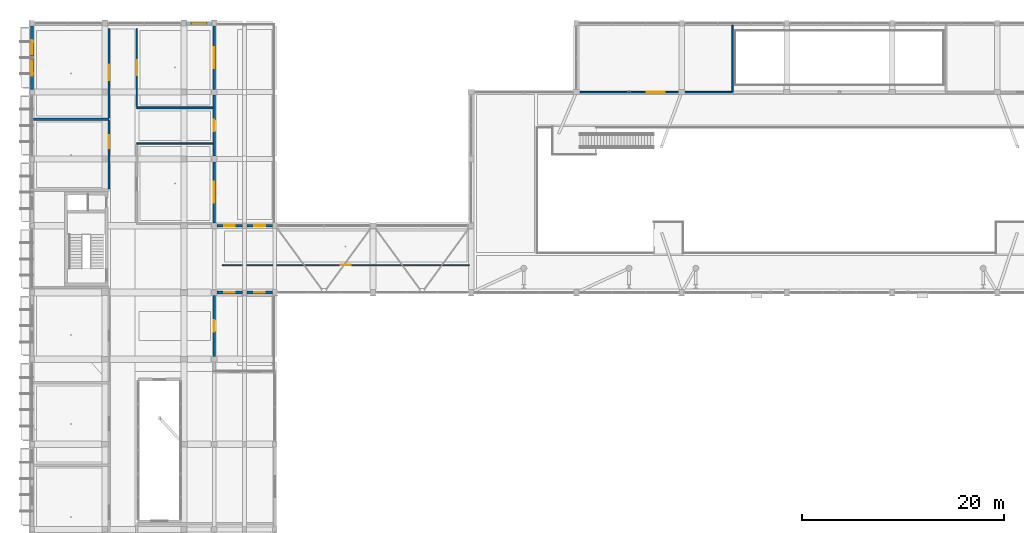
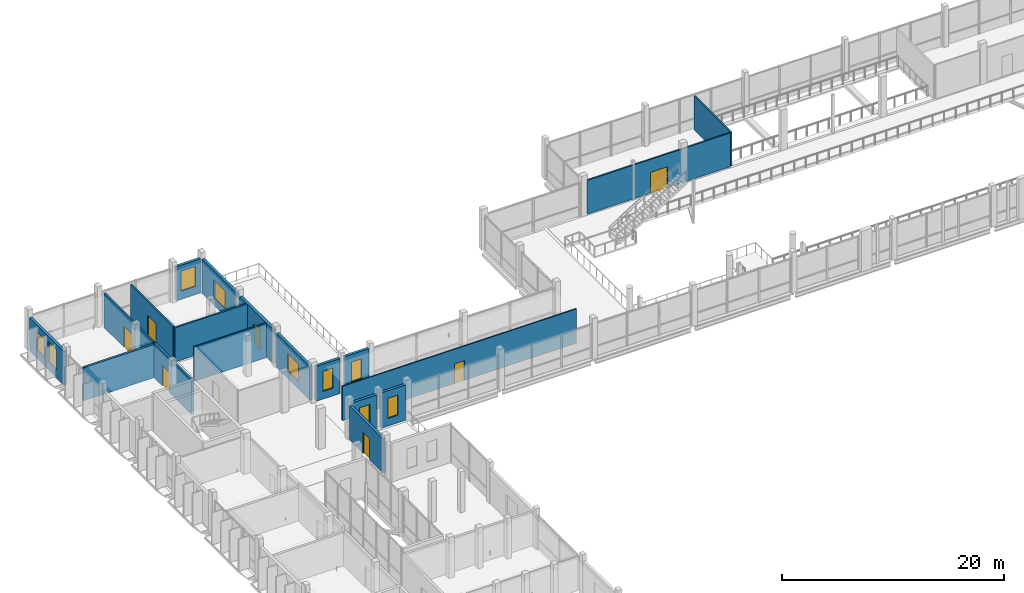
# One storey, part 59 of 95: 19 walls, 9 windows, 7 doors, 16 openings.
"""IFC4 building model written with IfcOpenShell, lengths in metres."""

from ifc_helpers import new_model, si_unit, derived_unit, direction, frame, frame_2d, origin, origin_with_axes, place, context, subcontext, project, spatial, rectangle, extrude, material, layer, layer_set, type_object, element, fill, save


model = new_model("IFC4")

# Units and contexts
model_context = context("Model", 3, precision=1e-05, world=origin(), true_north=direction((0.0, 1.0)))
body_context = subcontext(model_context, "Body", "Model", "MODEL_VIEW")
ifc_project = project(units=[si_unit("LENGTHUNIT", "METRE"), si_unit("AREAUNIT", "SQUARE_METRE"), si_unit("VOLUMEUNIT", "CUBIC_METRE"), si_unit("PLANEANGLEUNIT", "RADIAN"), si_unit("MASSUNIT", "GRAM", prefix="KILO"), derived_unit("THERMALTRANSMITTANCEUNIT", [(si_unit("POWERUNIT", "WATT"), 1), (si_unit("LENGTHUNIT", "METRE"), -2), (si_unit("THERMODYNAMICTEMPERATUREUNIT", "KELVIN"), -1)])], contexts=[model_context])

# Site, building, storey
site_placement = place(None, origin())
site = spatial("IfcSite", under=ifc_project, at=site_placement, CompositionType="ELEMENT")
building_placement = place(site_placement, origin())
building = spatial("IfcBuilding", under=site, at=building_placement, Name="Braskholm Square Health Centre", CompositionType="ELEMENT")
storey_placement = place(building_placement, frame((0.0, 0.0, 4.800048828125)))
storey = spatial("IfcBuildingStorey", under=building, at=storey_placement, Name="L02", CompositionType="ELEMENT", Elevation=4.800048828125)

# Wall, opening, door
ifc_material_1 = material(Name="Fire-rated gypsum board barrier")
ifc_layer_1 = layer(ifc_material_1, 0.175048828125)
ifc_layer_set_1 = layer_set([ifc_layer_1], Name="Fire-rated gypsum board barrier")
wall_type_1 = type_object("IfcWallType", Name="AmbulatoryFirePartition175", PredefinedType="PARTITIONING", material=ifc_layer_set_1)
wall_1_placement = place(storey_placement, frame((11.800048828125, 104.449951171875, 0.0), z_axis=(0.0, 0.0, 1.0), x_axis=(0.0, 1.0, 0.0)))
wall_1 = element("IfcWall", 1, at=wall_1_placement, inside=storey, type_object=wall_type_1, Name="Interior partition PWALL-L02-0092", PredefinedType="PARTITIONING", context=body_context, shape_type="SweptSolid", body=[
    extrude(rectangle(XDim=8.830078125, YDim=0.175048828125, at=frame_2d((4.4150390625, 0.0))), origin(), (0.0, 0.0, 1.0), 3.794921875),
])
opening_1_placement = place(wall_1_placement, frame((3.719970703125, 0.0, 0.0)))
opening_1 = element("IfcOpeningElement", 2, at=opening_1_placement, cuts=wall_1, Name="Opening D-15", PredefinedType="OPENING", context=body_context, shape_type="SweptSolid", body=[
    extrude(rectangle(XDim=1.5400390625, YDim=2.35009765625, at=frame_2d((0.77001953125, 1.175048828125))), frame((0.0, 0.09765625, 0.0), z_axis=(0.0, -1.0, 0.0), x_axis=(1.0, 0.0, 0.0)), (0.0, 0.0, 1.0), 0.195068359375),
])
ifc_material_2 = material(Name="Architectural bronze anodised aluminium", Category="aluminium")
door_type_1 = type_object("IfcDoorType", Name="DoorOperatingRoomPair1540x2350", OperationType="DOUBLE_DOOR_SINGLE_SWING", PredefinedType="DOOR", material=ifc_material_2)
door_1_placement = place(opening_1_placement, origin_with_axes())
door_1 = element("IfcDoor", 3, at=door_1_placement, inside=storey, type_object=door_type_1, Name="Interior door 0041 L02", OperationType="DOUBLE_DOOR_SINGLE_SWING", OverallHeight=2.35009765625, OverallWidth=1.5400390625, PredefinedType="DOOR", context=body_context, shape_type="SweptSolid", body=[
    extrude(rectangle(XDim=1.5400390625, YDim=2.35009765625, at=frame_2d((0.77001953125, 1.175048828125))), frame((0.0, 0.02490234375, 0.0), z_axis=(0.0, -1.0, 0.0), x_axis=(1.0, 0.0, 0.0)), (0.0, 0.0, 1.0), 0.050048828125),
])
fill(opening_1, door_1)

wall_2_placement = place(storey_placement, frame((14.550048828125, 105.570068359375, 0.0), z_axis=(0.0, 0.0, 1.0), x_axis=(0.0, 1.0, 0.0)))
wall_2 = element("IfcWall", 4, at=wall_2_placement, inside=storey, type_object=wall_type_1, Name="Interior partition PWALL-L02-0108", PredefinedType="PARTITIONING", context=body_context, shape_type="SweptSolid", body=[
    extrude(rectangle(XDim=7.7099609375, YDim=0.175048828125, at=frame_2d((3.85498046875, 0.0))), origin(), (0.0, 0.0, 1.0), 3.794921875),
])
opening_2_placement = place(wall_2_placement, frame((3.114990234375, 0.0, 0.0)))
opening_2 = element("IfcOpeningElement", 5, at=opening_2_placement, cuts=wall_2, Name="Opening D-27", PredefinedType="OPENING", context=body_context, shape_type="SweptSolid", body=[
    extrude(rectangle(XDim=1.47998046875, YDim=2.280029296875, at=frame_2d((0.739990234375, 1.14013671875))), frame((0.0, 0.09765625, 0.0), z_axis=(0.0, -1.0, 0.0), x_axis=(1.0, 0.0, 0.0)), (0.0, 0.0, 1.0), 0.195068359375),
])
door_type_2 = type_object("IfcDoorType", Name="DoorProcedurePair1480x2280", OperationType="DOUBLE_DOOR_SINGLE_SWING", PredefinedType="DOOR", material=ifc_material_2)
door_2_placement = place(opening_2_placement, frame((1.47998046875, 0.0, 0.0), z_axis=(0.0, 0.0, 1.0), x_axis=(-1.0, 0.0, 0.0)))
door_2 = element("IfcDoor", 6, at=door_2_placement, inside=storey, type_object=door_type_2, Name="Interior door 0049 L02", OperationType="DOUBLE_DOOR_SINGLE_SWING", OverallHeight=2.280029296875, OverallWidth=1.47998046875, PredefinedType="DOOR", context=body_context, shape_type="SweptSolid", body=[
    extrude(rectangle(XDim=1.47998046875, YDim=2.280029296875, at=frame_2d((0.739990234375, 1.14013671875))), frame((0.0, 0.02490234375, 0.0), z_axis=(0.0, -1.0, 0.0), x_axis=(1.0, 0.0, 0.0)), (0.0, 0.0, 1.0), 0.050048828125),
])
fill(opening_2, door_2)

# Wall
wall_3_placement = place(storey_placement, frame((14.550048828125, 105.449951171875, 0.0), z_axis=(0.0, 0.0, 1.0), x_axis=(1.0, 0.0, 0.0)))
element("IfcWall", 7, at=wall_3_placement, inside=storey, type_object=wall_type_1, Name="Interior partition PWALL-L02-0109", PredefinedType="PARTITIONING", context=body_context, shape_type="SweptSolid", body=[
    extrude(rectangle(XDim=7.510009765625, YDim=0.175048828125, at=frame_2d((3.7548828125, 0.0))), origin(), (0.0, 0.0, 1.0), 3.784912109375),
])

# Wall, opening, door
ifc_material_3 = material(Name="Acoustic gypsum board partition")
ifc_layer_2 = layer(ifc_material_3, 0.125)
ifc_layer_set_2 = layer_set([ifc_layer_2], Name="Acoustic gypsum board partition")
wall_type_2 = type_object("IfcWallType", Name="ClinicalExamPartition125", PredefinedType="PARTITIONING", material=ifc_layer_set_2)
wall_4_placement = place(storey_placement, frame((23.0, 89.89990234375, 0.0), z_axis=(0.0, 0.0, 1.0), x_axis=(1.0, 0.0, 0.0)))
wall_4 = element("IfcWall", 8, at=wall_4_placement, inside=storey, type_object=wall_type_2, Name="Interior partition PWALL-L02-0093", PredefinedType="PARTITIONING", context=body_context, shape_type="SweptSolid", body=[
    extrude(rectangle(XDim=24.39990234375, YDim=0.125, at=frame_2d((12.199951171875, 0.0))), origin(), (0.0, 0.0, 1.0), 3.784912109375),
])
opening_3_placement = place(wall_4_placement, frame((11.68994140625, 0.0, 0.0)))
opening_3 = element("IfcOpeningElement", 9, at=opening_3_placement, cuts=wall_4, Name="Opening D-25", PredefinedType="OPENING", context=body_context, shape_type="SweptSolid", body=[
    extrude(rectangle(XDim=1.02001953125, YDim=2.179931640625, at=frame_2d((0.510009765625, 1.08984375))), frame((0.0, 0.072509765625, 0.0), z_axis=(0.0, -1.0, 0.0), x_axis=(1.0, 0.0, 0.0)), (0.0, 0.0, 1.0), 0.14501953125),
])
door_type_3 = type_object("IfcDoorType", Name="DoorConsultWide1020x2180", OperationType="NOTDEFINED", PredefinedType="DOOR", material=ifc_material_2)
door_3_placement = place(opening_3_placement, origin_with_axes())
door_3 = element("IfcDoor", 10, at=door_3_placement, inside=storey, type_object=door_type_3, Name="Interior door 0042 L02", OperationType="SINGLE_SWING_LEFT", OverallHeight=2.179931640625, OverallWidth=1.02001953125, PredefinedType="DOOR", context=body_context, shape_type="SweptSolid", body=[
    extrude(rectangle(XDim=1.02001953125, YDim=2.179931640625, at=frame_2d((0.510009765625, 1.08984375))), frame((0.0, 0.02490234375, 0.0), z_axis=(0.0, -1.0, 0.0), x_axis=(1.0, 0.0, 0.0)), (0.0, 0.0, 1.0), 0.050048828125),
])
fill(opening_3, door_3)

# Walls
ifc_layer_3 = layer(ifc_material_3, 0.14990234375)
ifc_layer_set_3 = layer_set([ifc_layer_3], Name="Acoustic gypsum board partition")
wall_type_3 = type_object("IfcWallType", Name="CorridorAcousticPartition150", PredefinedType="PARTITIONING", material=ifc_layer_set_3)
wall_5_placement = place(storey_placement, frame((14.550048828125, 101.949951171875, 0.0), z_axis=(0.0, 0.0, 1.0), x_axis=(1.0, 0.0, 0.0)))
element("IfcWall", 11, at=wall_5_placement, inside=storey, type_object=wall_type_3, Name="Interior partition PWALL-L02-0107", PredefinedType="PARTITIONING", context=body_context, shape_type="SweptSolid", body=[
    extrude(rectangle(XDim=7.510009765625, YDim=0.14990234375, at=frame_2d((3.7548828125, 0.0))), origin(), (0.0, 0.0, 1.0), 3.784912109375),
])
wall_6_placement = place(storey_placement, frame((73.449951171875, 107.0, 0.0), z_axis=(0.0, 0.0, 1.0), x_axis=(0.0, 1.0, 0.0)))
element("IfcWall", 12, at=wall_6_placement, inside=storey, type_object=wall_type_3, Name="Interior partition PWALL-L02-0522", PredefinedType="PARTITIONING", context=body_context, shape_type="SweptSolid", body=[
    extrude(rectangle(XDim=6.60009765625, YDim=0.14990234375, at=frame_2d((3.300048828125, 0.0))), origin(), (0.0, 0.0, 1.0), 3.73193359375),
])

# Wall, opening, door
wall_7_placement = place(storey_placement, frame((58.39990234375, 107.0, 0.0), z_axis=(0.0, 0.0, 1.0), x_axis=(1.0, 0.0, 0.0)))
wall_7 = element("IfcWall", 13, at=wall_7_placement, inside=storey, type_object=wall_type_3, Name="Interior partition PWALL-L02-0524", PredefinedType="PARTITIONING", context=body_context, shape_type="SweptSolid", body=[
    extrude(rectangle(XDim=14.900146484375, YDim=0.14990234375, at=frame_2d((7.4501953125, 0.0))), origin(), (0.0, 0.0, 1.0), 3.73193359375),
])
opening_4_placement = place(wall_7_placement, frame((6.570068359375, 0.0, 0.0)))
opening_4 = element("IfcOpeningElement", 14, at=opening_4_placement, cuts=wall_7, Name="Opening D-12", PredefinedType="OPENING", context=body_context, shape_type="SweptSolid", body=[
    extrude(rectangle(XDim=1.760009765625, YDim=2.300048828125, at=frame_2d((0.8798828125, 1.14990234375))), frame((0.0, 0.0849609375, 0.0), z_axis=(0.0, -1.0, 0.0), x_axis=(1.0, 0.0, 0.0)), (0.0, 0.0, 1.0), 0.169921875),
])
door_type_4 = type_object("IfcDoorType", Name="DoorRehabGymDouble1760x2300", OperationType="DOUBLE_DOOR_SINGLE_SWING", PredefinedType="DOOR", material=ifc_material_2)
door_4_placement = place(opening_4_placement, origin_with_axes())
door_4 = element("IfcDoor", 15, at=door_4_placement, inside=storey, type_object=door_type_4, Name="Interior door 0249 L02", OperationType="DOUBLE_DOOR_SINGLE_SWING", OverallHeight=2.300048828125, OverallWidth=1.760009765625, PredefinedType="DOOR", context=body_context, shape_type="SweptSolid", body=[
    extrude(rectangle(XDim=1.760009765625, YDim=2.300048828125, at=frame_2d((0.8798828125, 1.14990234375))), frame((0.0, 0.02490234375, 0.0), z_axis=(0.0, -1.0, 0.0), x_axis=(1.0, 0.0, 0.0)), (0.0, 0.0, 1.0), 0.050048828125),
])
fill(opening_4, door_4)

# Wall, openings, windows
ifc_material_4 = material(Name="Precast concrete C40/50 architectural white", Category="concrete")
ifc_layer_4 = layer(ifc_material_4, 0.280029296875)
ifc_layer_set_4 = layer_set([ifc_layer_4], Name="Precast concrete C40/50 architectural white")
wall_type_4 = type_object("IfcWallType", Name="ExteriorPrecastSpandrelWall280", PredefinedType="SOLIDWALL", material=ifc_layer_set_4)
wall_8_placement = place(storey_placement, frame((4.199951171875, 113.51806640625, 0.0), z_axis=(0.0, 0.0, 1.0), x_axis=(0.0, -1.0, 0.0)))
wall_8 = element("IfcWall", 16, at=wall_8_placement, inside=storey, type_object=wall_type_4, Name="Exterior wall EWALL-L02-0019", PredefinedType="SOLIDWALL", context=body_context, shape_type="SweptSolid", body=[
    extrude(rectangle(XDim=6.236083984375, YDim=0.280029296875, at=frame_2d((3.1181640625, 0.0))), origin(), (0.0, 0.0, 1.0), 3.64990234375),
])
opening_5_placement = place(wall_8_placement, frame((1.37890625, 0.0, 0.8798828125)))
opening_5 = element("IfcOpeningElement", 17, at=opening_5_placement, cuts=wall_8, Name="Opening WN-14", PredefinedType="OPENING", context=body_context, shape_type="SweptSolid", body=[
    extrude(rectangle(XDim=1.39990234375, YDim=2.050048828125, at=frame_2d((0.699951171875, 1.02490234375))), frame((0.0, 0.14990234375, 0.0), z_axis=(0.0, -1.0, 0.0), x_axis=(1.0, 0.0, 0.0)), (0.0, 0.0, 1.0), 0.300048828125),
])
opening_6_placement = place(wall_8_placement, frame((3.406982421875, 0.0, 0.8798828125)))
opening_6 = element("IfcOpeningElement", 18, at=opening_6_placement, cuts=wall_8, Name="Opening WN-03", PredefinedType="OPENING", context=body_context, shape_type="SweptSolid", body=[
    extrude(rectangle(XDim=1.5, YDim=2.199951171875, at=frame_2d((0.75, 1.10009765625))), frame((0.0, 0.14990234375, 0.0), z_axis=(0.0, -1.0, 0.0), x_axis=(1.0, 0.0, 0.0)), (0.0, 0.0, 1.0), 0.300048828125),
])
ifc_material_5 = material(Name="Low-E triple insulating glass (VLT 0.64)", Category="glass")
window_type_1 = type_object("IfcWindowType", Name="WinArtDecoTwin1500x2200", PartitioningType="SINGLE_PANEL", PredefinedType="WINDOW", material=ifc_material_5)
window_1_placement = place(opening_6_placement, origin_with_axes())
window_1 = element("IfcWindow", 19, at=window_1_placement, inside=storey, type_object=window_type_1, Name="Exterior window 0035 L02", OverallHeight=2.199951171875, OverallWidth=1.5, PartitioningType="SINGLE_PANEL", PredefinedType="WINDOW", context=body_context, shape_type="SweptSolid", body=[
    extrude(rectangle(XDim=1.5, YDim=2.199951171875, at=frame_2d((0.75, 1.10009765625))), frame((0.0, 0.030029296875, 0.0), z_axis=(0.0, -1.0, 0.0), x_axis=(1.0, 0.0, 0.0)), (0.0, 0.0, 1.0), 0.06005859375),
])
fill(opening_6, window_1)
window_type_2 = type_object("IfcWindowType", Name="WinClinicalTall1400x2050", PartitioningType="SINGLE_PANEL", PredefinedType="WINDOW", material=ifc_material_5)
window_2_placement = place(opening_5_placement, origin_with_axes())
window_2 = element("IfcWindow", 20, at=window_2_placement, inside=storey, type_object=window_type_2, Name="Exterior window 0034 L02", OverallHeight=2.050048828125, OverallWidth=1.39990234375, PartitioningType="SINGLE_PANEL", PredefinedType="WINDOW", context=body_context, shape_type="SweptSolid", body=[
    extrude(rectangle(XDim=1.39990234375, YDim=2.050048828125, at=frame_2d((0.699951171875, 1.02490234375))), frame((0.0, 0.030029296875, 0.0), z_axis=(0.0, -1.0, 0.0), x_axis=(1.0, 0.0, 0.0)), (0.0, 0.0, 1.0), 0.06005859375),
])
fill(opening_5, window_2)

# Wall, opening, door
wall_9_placement = place(storey_placement, frame((22.199951171875, 80.876953125, 0.0), z_axis=(0.0, 0.0, 1.0), x_axis=(0.0, 1.0, 0.0)))
wall_9 = element("IfcWall", 21, at=wall_9_placement, inside=storey, type_object=wall_type_4, Name="Exterior wall EWALL-L02-0115", PredefinedType="SOLIDWALL", context=body_context, shape_type="SweptSolid", body=[
    extrude(rectangle(XDim=6.046142578125, YDim=0.280029296875, at=frame_2d((3.02294921875, 0.0))), origin(), (0.0, 0.0, 1.0), 3.739990234375),
])
opening_7_placement = place(wall_9_placement, frame((2.452880859375, 0.0, 0.0)))
opening_7 = element("IfcOpeningElement", 22, at=opening_7_placement, cuts=wall_9, Name="Opening D-T1", PredefinedType="OPENING", context=body_context, shape_type="SweptSolid", body=[
    extrude(rectangle(XDim=1.139892578125, YDim=2.300048828125, at=frame_2d((0.56982421875, 1.14990234375))), frame((0.0, 0.14990234375, 0.0), z_axis=(0.0, -1.0, 0.0), x_axis=(1.0, 0.0, 0.0)), (0.0, 0.0, 1.0), 0.300048828125),
])
door_type_5 = type_object("IfcDoorType", Name="DoorPlantedTerrace1140x2300", OperationType="NOTDEFINED", PredefinedType="DOOR", material=ifc_material_5)
door_5_placement = place(opening_7_placement, frame((1.139892578125, 0.0, 0.0), z_axis=(0.0, 0.0, 1.0), x_axis=(-1.0, 0.0, 0.0)))
door_5 = element("IfcDoor", 23, at=door_5_placement, inside=storey, type_object=door_type_5, Name="Exterior door 0012 L02", OperationType="SINGLE_SWING_LEFT", OverallHeight=2.300048828125, OverallWidth=1.139892578125, PredefinedType="DOOR", context=body_context, shape_type="SweptSolid", body=[
    extrude(rectangle(XDim=1.139892578125, YDim=2.300048828125, at=frame_2d((0.56982421875, 1.14990234375))), frame((0.0, 0.02490234375, 0.0), z_axis=(0.0, -1.0, 0.0), x_axis=(1.0, 0.0, 0.0)), (0.0, 0.0, 1.0), 0.050048828125),
])
fill(opening_7, door_5)

# Wall, opening, window
wall_10_placement = place(storey_placement, frame((22.199951171875, 94.076904296875, 0.0), z_axis=(0.0, 0.0, 1.0), x_axis=(0.0, 1.0, 0.0)))
wall_10 = element("IfcWall", 24, at=wall_10_placement, inside=storey, type_object=wall_type_4, Name="Exterior wall EWALL-L02-0116", PredefinedType="SOLIDWALL", context=body_context, shape_type="SweptSolid", body=[
    extrude(rectangle(XDim=6.046142578125, YDim=0.280029296875, at=frame_2d((3.02294921875, 0.0))), origin(), (0.0, 0.0, 1.0), 3.739990234375),
])
opening_8_placement = place(wall_10_placement, frame((1.998046875, 0.0, 0.800048828125)))
opening_8 = element("IfcOpeningElement", 25, at=opening_8_placement, cuts=wall_10, Name="Opening WN-25", PredefinedType="OPENING", context=body_context, shape_type="SweptSolid", body=[
    extrude(rectangle(XDim=2.050048828125, YDim=1.949951171875, at=frame_2d((1.02490234375, 0.97509765625))), frame((0.0, 0.14990234375, 0.0), z_axis=(0.0, -1.0, 0.0), x_axis=(1.0, 0.0, 0.0)), (0.0, 0.0, 1.0), 0.300048828125),
])
window_type_3 = type_object("IfcWindowType", Name="WinValleyTerrace2050x1950", PartitioningType="SINGLE_PANEL", PredefinedType="WINDOW", material=ifc_material_5)
window_3_placement = place(opening_8_placement, origin_with_axes())
window_3 = element("IfcWindow", 26, at=window_3_placement, inside=storey, type_object=window_type_3, Name="Exterior window 0184 L02", OverallHeight=1.949951171875, OverallWidth=2.050048828125, PartitioningType="SINGLE_PANEL", PredefinedType="WINDOW", context=body_context, shape_type="SweptSolid", body=[
    extrude(rectangle(XDim=2.050048828125, YDim=1.949951171875, at=frame_2d((1.02490234375, 0.97509765625))), frame((0.0, 0.030029296875, 0.0), z_axis=(0.0, -1.0, 0.0), x_axis=(1.0, 0.0, 0.0)), (0.0, 0.0, 1.0), 0.06005859375),
])
fill(opening_8, window_3)

# Wall, opening, door
wall_11_placement = place(storey_placement, frame((22.199951171875, 100.677001953125, 0.0), z_axis=(0.0, 0.0, 1.0), x_axis=(0.0, 1.0, 0.0)))
wall_11 = element("IfcWall", 27, at=wall_11_placement, inside=storey, type_object=wall_type_4, Name="Exterior wall EWALL-L02-0117", PredefinedType="SOLIDWALL", context=body_context, shape_type="SweptSolid", body=[
    extrude(rectangle(XDim=6.0458984375, YDim=0.280029296875, at=frame_2d((3.02294921875, 0.0))), origin(), (0.0, 0.0, 1.0), 3.7900390625),
])
opening_9_placement = place(wall_11_placement, frame((2.452880859375, 0.0, 0.0)))
opening_9 = element("IfcOpeningElement", 28, at=opening_9_placement, cuts=wall_11, Name="Opening D-T1", PredefinedType="OPENING", context=body_context, shape_type="SweptSolid", body=[
    extrude(rectangle(XDim=1.139892578125, YDim=2.300048828125, at=frame_2d((0.56982421875, 1.14990234375))), frame((0.0, 0.14990234375, 0.0), z_axis=(0.0, -1.0, 0.0), x_axis=(1.0, 0.0, 0.0)), (0.0, 0.0, 1.0), 0.300048828125),
])
door_6_placement = place(opening_9_placement, frame((1.139892578125, 0.0, 0.0), z_axis=(0.0, 0.0, 1.0), x_axis=(-1.0, 0.0, 0.0)))
door_6 = element("IfcDoor", 29, at=door_6_placement, inside=storey, type_object=door_type_5, Name="Exterior door 0013 L02", OperationType="SINGLE_SWING_LEFT", OverallHeight=2.300048828125, OverallWidth=1.139892578125, PredefinedType="DOOR", context=body_context, shape_type="SweptSolid", body=[
    extrude(rectangle(XDim=1.139892578125, YDim=2.300048828125, at=frame_2d((0.56982421875, 1.14990234375))), frame((0.0, 0.02490234375, 0.0), z_axis=(0.0, -1.0, 0.0), x_axis=(1.0, 0.0, 0.0)), (0.0, 0.0, 1.0), 0.050048828125),
])
fill(opening_9, door_6)

# Wall, opening, window
wall_12_placement = place(storey_placement, frame((22.199951171875, 107.277099609375, 0.0), z_axis=(0.0, 0.0, 1.0), x_axis=(0.0, 1.0, 0.0)))
wall_12 = element("IfcWall", 30, at=wall_12_placement, inside=storey, type_object=wall_type_4, Name="Exterior wall EWALL-L02-0118", PredefinedType="SOLIDWALL", context=body_context, shape_type="SweptSolid", body=[
    extrude(rectangle(XDim=6.240966796875, YDim=0.280029296875, at=frame_2d((3.12060546875, 0.0))), origin(), (0.0, 0.0, 1.0), 3.7900390625),
])
opening_10_placement = place(wall_12_placement, frame((2.094970703125, 0.0, 0.800048828125)))
opening_10 = element("IfcOpeningElement", 31, at=opening_10_placement, cuts=wall_12, Name="Opening WN-25", PredefinedType="OPENING", context=body_context, shape_type="SweptSolid", body=[
    extrude(rectangle(XDim=2.050048828125, YDim=1.949951171875, at=frame_2d((1.02490234375, 0.97509765625))), frame((0.0, 0.14990234375, 0.0), z_axis=(0.0, -1.0, 0.0), x_axis=(1.0, 0.0, 0.0)), (0.0, 0.0, 1.0), 0.300048828125),
])
window_4_placement = place(opening_10_placement, origin_with_axes())
window_4 = element("IfcWindow", 32, at=window_4_placement, inside=storey, type_object=window_type_3, Name="Exterior window 0185 L02", OverallHeight=1.949951171875, OverallWidth=2.050048828125, PartitioningType="SINGLE_PANEL", PredefinedType="WINDOW", context=body_context, shape_type="SweptSolid", body=[
    extrude(rectangle(XDim=2.050048828125, YDim=1.949951171875, at=frame_2d((1.02490234375, 0.97509765625))), frame((0.0, 0.030029296875, 0.0), z_axis=(0.0, -1.0, 0.0), x_axis=(1.0, 0.0, 0.0)), (0.0, 0.0, 1.0), 0.06005859375),
])
fill(opening_10, window_4)

wall_13_placement = place(storey_placement, frame((21.968017578125, 113.800048828125, 0.0), z_axis=(0.0, 0.0, 1.0), x_axis=(-1.0, 0.0, 0.0)))
wall_13 = element("IfcWall", 33, at=wall_13_placement, inside=storey, type_object=wall_type_4, Name="Exterior wall EWALL-L02-0234", PredefinedType="SOLIDWALL", context=body_context, shape_type="SweptSolid", body=[
    extrude(rectangle(XDim=2.5361328125, YDim=0.280029296875, at=frame_2d((1.26806640625, 0.0))), origin(), (0.0, 0.0, 1.0), 3.75),
])
opening_11_placement = place(wall_13_placement, frame((0.51806640625, 0.0, 0.89990234375)))
opening_11 = element("IfcOpeningElement", 34, at=opening_11_placement, cuts=wall_13, Name="Opening WN-03", PredefinedType="OPENING", context=body_context, shape_type="SweptSolid", body=[
    extrude(rectangle(XDim=1.5, YDim=2.199951171875, at=frame_2d((0.75, 1.10009765625))), frame((0.0, 0.14990234375, 0.0), z_axis=(0.0, -1.0, 0.0), x_axis=(1.0, 0.0, 0.0)), (0.0, 0.0, 1.0), 0.300048828125),
])
window_5_placement = place(opening_11_placement, origin_with_axes())
window_5 = element("IfcWindow", 35, at=window_5_placement, inside=storey, type_object=window_type_1, Name="Exterior window 0287 L02", OverallHeight=2.199951171875, OverallWidth=1.5, PartitioningType="SINGLE_PANEL", PredefinedType="WINDOW", context=body_context, shape_type="SweptSolid", body=[
    extrude(rectangle(XDim=1.5, YDim=2.199951171875, at=frame_2d((0.75, 1.10009765625))), frame((0.0, 0.030029296875, 0.0), z_axis=(0.0, -1.0, 0.0), x_axis=(1.0, 0.0, 0.0)), (0.0, 0.0, 1.0), 0.06005859375),
])
fill(opening_11, window_5)

wall_14_placement = place(storey_placement, frame((22.47705078125, 87.199951171875, 0.0), z_axis=(0.0, 0.0, 1.0), x_axis=(1.0, 0.0, 0.0)))
wall_14 = element("IfcWall", 36, at=wall_14_placement, inside=storey, type_object=wall_type_4, Name="Exterior wall EWALL-L02-0254", PredefinedType="SOLIDWALL", context=body_context, shape_type="SweptSolid", body=[
    extrude(rectangle(XDim=2.5009765625, YDim=0.280029296875, at=frame_2d((1.25048828125, 0.0))), origin(), (0.0, 0.0, 1.0), 3.83984375),
])
opening_12_placement = place(wall_14_placement, frame((0.72607421875, 0.0, 0.85009765625)))
opening_12 = element("IfcOpeningElement", 37, at=opening_12_placement, cuts=wall_14, Name="Opening WN-02", PredefinedType="OPENING", context=body_context, shape_type="SweptSolid", body=[
    extrude(rectangle(XDim=1.050048828125, YDim=2.199951171875, at=frame_2d((0.52490234375, 1.10009765625))), frame((0.0, 0.14990234375, 0.0), z_axis=(0.0, -1.0, 0.0), x_axis=(1.0, 0.0, 0.0)), (0.0, 0.0, 1.0), 0.300048828125),
])
window_type_4 = type_object("IfcWindowType", Name="WinArtDecoLancet1050x2200", PartitioningType="SINGLE_PANEL", PredefinedType="WINDOW", material=ifc_material_5)
window_6_placement = place(opening_12_placement, origin_with_axes())
window_6 = element("IfcWindow", 38, at=window_6_placement, inside=storey, type_object=window_type_4, Name="Exterior window 0304 L02", OverallHeight=2.199951171875, OverallWidth=1.050048828125, PartitioningType="SINGLE_PANEL", PredefinedType="WINDOW", context=body_context, shape_type="SweptSolid", body=[
    extrude(rectangle(XDim=1.050048828125, YDim=2.199951171875, at=frame_2d((0.52490234375, 1.10009765625))), frame((0.0, 0.030029296875, 0.0), z_axis=(0.0, -1.0, 0.0), x_axis=(1.0, 0.0, 0.0)), (0.0, 0.0, 1.0), 0.06005859375),
])
fill(opening_12, window_6)

wall_15_placement = place(storey_placement, frame((24.97802734375, 93.800048828125, 0.0), z_axis=(0.0, 0.0, 1.0), x_axis=(-1.0, 0.0, 0.0)))
wall_15 = element("IfcWall", 39, at=wall_15_placement, inside=storey, type_object=wall_type_4, Name="Exterior wall EWALL-L02-0257", PredefinedType="SOLIDWALL", context=body_context, shape_type="SweptSolid", body=[
    extrude(rectangle(XDim=2.5009765625, YDim=0.280029296875, at=frame_2d((1.25048828125, 0.0))), origin(), (0.0, 0.0, 1.0), 3.83984375),
])
opening_13_placement = place(wall_15_placement, frame((0.72607421875, 0.0, 0.85009765625)))
opening_13 = element("IfcOpeningElement", 40, at=opening_13_placement, cuts=wall_15, Name="Opening WN-02", PredefinedType="OPENING", context=body_context, shape_type="SweptSolid", body=[
    extrude(rectangle(XDim=1.050048828125, YDim=2.199951171875, at=frame_2d((0.52490234375, 1.10009765625))), frame((0.0, 0.14990234375, 0.0), z_axis=(0.0, -1.0, 0.0), x_axis=(1.0, 0.0, 0.0)), (0.0, 0.0, 1.0), 0.300048828125),
])
window_7_placement = place(opening_13_placement, origin_with_axes())
window_7 = element("IfcWindow", 41, at=window_7_placement, inside=storey, type_object=window_type_4, Name="Exterior window 0307 L02", OverallHeight=2.199951171875, OverallWidth=1.050048828125, PartitioningType="SINGLE_PANEL", PredefinedType="WINDOW", context=body_context, shape_type="SweptSolid", body=[
    extrude(rectangle(XDim=1.050048828125, YDim=2.199951171875, at=frame_2d((0.52490234375, 1.10009765625))), frame((0.0, 0.030029296875, 0.0), z_axis=(0.0, -1.0, 0.0), x_axis=(1.0, 0.0, 0.0)), (0.0, 0.0, 1.0), 0.06005859375),
])
fill(opening_13, window_7)

wall_16_placement = place(storey_placement, frame((25.422119140625, 87.199951171875, 0.0), z_axis=(0.0, 0.0, 1.0), x_axis=(1.0, 0.0, 0.0)))
wall_16 = element("IfcWall", 42, at=wall_16_placement, inside=storey, type_object=wall_type_4, Name="Exterior wall EWALL-L02-0260", PredefinedType="SOLIDWALL", context=body_context, shape_type="SweptSolid", body=[
    extrude(rectangle(XDim=2.5458984375, YDim=0.280029296875, at=frame_2d((1.27294921875, 0.0))), origin(), (0.0, 0.0, 1.0), 3.889892578125),
])
opening_14_placement = place(wall_16_placement, frame((0.748046875, 0.0, 0.85009765625)))
opening_14 = element("IfcOpeningElement", 43, at=opening_14_placement, cuts=wall_16, Name="Opening WN-02", PredefinedType="OPENING", context=body_context, shape_type="SweptSolid", body=[
    extrude(rectangle(XDim=1.050048828125, YDim=2.199951171875, at=frame_2d((0.52490234375, 1.10009765625))), frame((0.0, 0.14990234375, 0.0), z_axis=(0.0, -1.0, 0.0), x_axis=(1.0, 0.0, 0.0)), (0.0, 0.0, 1.0), 0.300048828125),
])
window_8_placement = place(opening_14_placement, origin_with_axes())
window_8 = element("IfcWindow", 44, at=window_8_placement, inside=storey, type_object=window_type_4, Name="Exterior window 0310 L02", OverallHeight=2.199951171875, OverallWidth=1.050048828125, PartitioningType="SINGLE_PANEL", PredefinedType="WINDOW", context=body_context, shape_type="SweptSolid", body=[
    extrude(rectangle(XDim=1.050048828125, YDim=2.199951171875, at=frame_2d((0.52490234375, 1.10009765625))), frame((0.0, 0.030029296875, 0.0), z_axis=(0.0, -1.0, 0.0), x_axis=(1.0, 0.0, 0.0)), (0.0, 0.0, 1.0), 0.06005859375),
])
fill(opening_14, window_8)

wall_17_placement = place(storey_placement, frame((27.97802734375, 93.800048828125, 0.0), z_axis=(0.0, 0.0, 1.0), x_axis=(-1.0, 0.0, 0.0)))
wall_17 = element("IfcWall", 45, at=wall_17_placement, inside=storey, type_object=wall_type_4, Name="Exterior wall EWALL-L02-0263", PredefinedType="SOLIDWALL", context=body_context, shape_type="SweptSolid", body=[
    extrude(rectangle(XDim=2.555908203125, YDim=0.280029296875, at=frame_2d((1.27783203125, 0.0))), origin(), (0.0, 0.0, 1.0), 3.889892578125),
])
opening_15_placement = place(wall_17_placement, frame((0.7529296875, 0.0, 0.85009765625)))
opening_15 = element("IfcOpeningElement", 46, at=opening_15_placement, cuts=wall_17, Name="Opening WN-02", PredefinedType="OPENING", context=body_context, shape_type="SweptSolid", body=[
    extrude(rectangle(XDim=1.050048828125, YDim=2.199951171875, at=frame_2d((0.52490234375, 1.10009765625))), frame((0.0, 0.14990234375, 0.0), z_axis=(0.0, -1.0, 0.0), x_axis=(1.0, 0.0, 0.0)), (0.0, 0.0, 1.0), 0.300048828125),
])
window_9_placement = place(opening_15_placement, origin_with_axes())
window_9 = element("IfcWindow", 47, at=window_9_placement, inside=storey, type_object=window_type_4, Name="Exterior window 0313 L02", OverallHeight=2.199951171875, OverallWidth=1.050048828125, PartitioningType="SINGLE_PANEL", PredefinedType="WINDOW", context=body_context, shape_type="SweptSolid", body=[
    extrude(rectangle(XDim=1.050048828125, YDim=2.199951171875, at=frame_2d((0.52490234375, 1.10009765625))), frame((0.0, 0.030029296875, 0.0), z_axis=(0.0, -1.0, 0.0), x_axis=(1.0, 0.0, 0.0)), (0.0, 0.0, 1.0), 0.06005859375),
])
fill(opening_15, window_9)

# Wall, opening, door
ifc_layer_5 = layer(ifc_material_1, 0.22509765625)
ifc_layer_set_5 = layer_set([ifc_layer_5], Name="Fire-rated gypsum board barrier")
wall_type_5 = type_object("IfcWallType", Name="ImagingShieldedWall225", PredefinedType="SOLIDWALL", material=ifc_layer_set_5)
wall_18_placement = place(storey_placement, frame((11.800048828125, 97.419921875, 0.0), z_axis=(0.0, 0.0, 1.0), x_axis=(0.0, 1.0, 0.0)))
wall_18 = element("IfcWall", 48, at=wall_18_placement, inside=storey, type_object=wall_type_5, Name="Interior partition PWALL-L02-0089", PredefinedType="SOLIDWALL", context=body_context, shape_type="SweptSolid", body=[
    extrude(rectangle(XDim=6.7900390625, YDim=0.22509765625, at=frame_2d((3.39501953125, 0.0))), origin(), (0.0, 0.0, 1.0), 3.794921875),
])
opening_16_placement = place(wall_18_placement, frame((4.0400390625, 0.0, 0.0)))
opening_16 = element("IfcOpeningElement", 49, at=opening_16_placement, cuts=wall_18, Name="Opening D-20", PredefinedType="OPENING", context=body_context, shape_type="SweptSolid", body=[
    extrude(rectangle(XDim=1.280029296875, YDim=2.25, at=frame_2d((0.64013671875, 1.125))), frame((0.0, 0.12255859375, 0.0), z_axis=(0.0, -1.0, 0.0), x_axis=(1.0, 0.0, 0.0)), (0.0, 0.0, 1.0), 0.2451171875),
])
door_type_6 = type_object("IfcDoorType", Name="DoorLeadXRay1280x2250", OperationType="NOTDEFINED", PredefinedType="DOOR", material=ifc_material_2)
door_7_placement = place(opening_16_placement, origin_with_axes())
door_7 = element("IfcDoor", 50, at=door_7_placement, inside=storey, type_object=door_type_6, Name="Interior door 0040 L02", OperationType="SINGLE_SWING_RIGHT", OverallHeight=2.25, OverallWidth=1.280029296875, PredefinedType="DOOR", context=body_context, shape_type="SweptSolid", body=[
    extrude(rectangle(XDim=1.280029296875, YDim=2.25, at=frame_2d((0.64013671875, 1.125))), frame((0.0, 0.02490234375, 0.0), z_axis=(0.0, -1.0, 0.0), x_axis=(1.0, 0.0, 0.0)), (0.0, 0.0, 1.0), 0.050048828125),
])
fill(opening_16, door_7)

# Wall
wall_19_placement = place(storey_placement, frame((4.340087890625, 104.330078125, 0.0), z_axis=(0.0, 0.0, 1.0), x_axis=(1.0, 0.0, 0.0)))
element("IfcWall", 51, at=wall_19_placement, inside=storey, type_object=wall_type_5, Name="Interior partition PWALL-L02-0090", PredefinedType="SOLIDWALL", context=body_context, shape_type="SweptSolid", body=[
    extrude(rectangle(XDim=7.4599609375, YDim=0.22509765625, at=frame_2d((3.72998046875, 0.0))), origin(), (0.0, 0.0, 1.0), 3.64501953125),
])

save(model, "model.ifc")
